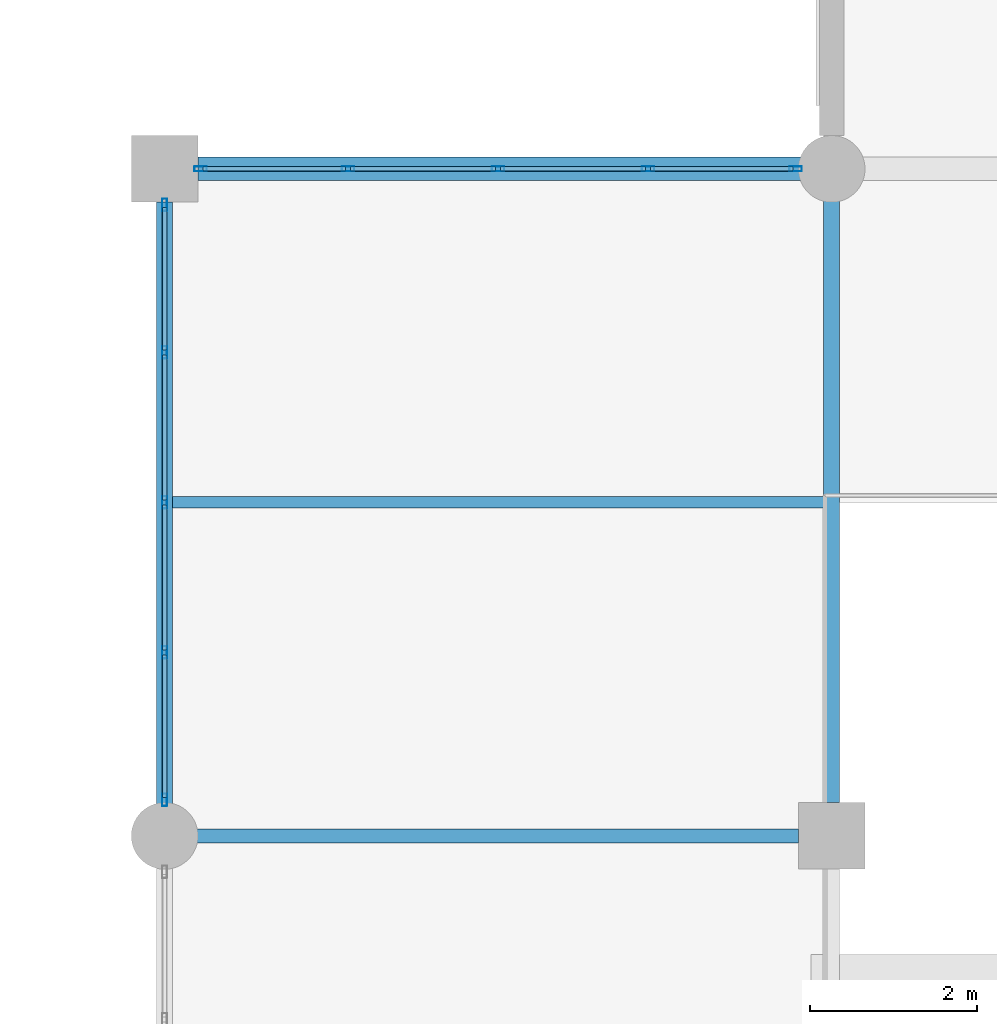
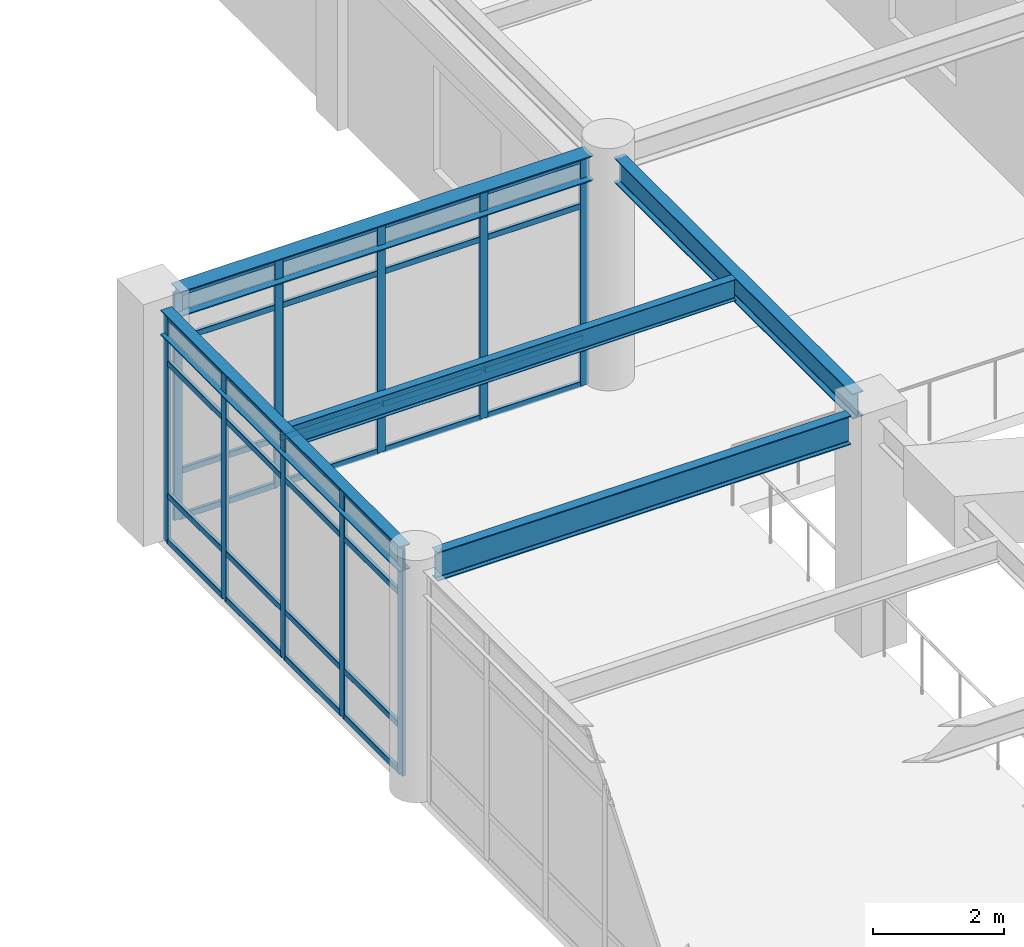
# One storey, part 36 of 75: 42 members, 5 beams, 2 elements without a shape of their own.
"""IFC4 building model written with IfcOpenShell, lengths in metres."""

from ifc_helpers import new_model, si_unit, direction, frame, origin, origin_2d, place, context, subcontext, project, spatial, hollow_rectangle, i_section, extrude, material, material_profile, profile_set, type_object, element, aggregate, save


model = new_model("IFC4")

# Units and contexts
model_context = context("Model", 3, precision=1e-05, world=origin(), true_north=direction((0.0, 1.0)))
body_context = subcontext(model_context, "Body", "Model", "MODEL_VIEW")
ifc_project = project(units=[si_unit("LENGTHUNIT", "METRE"), si_unit("AREAUNIT", "SQUARE_METRE"), si_unit("VOLUMEUNIT", "CUBIC_METRE"), si_unit("PLANEANGLEUNIT", "RADIAN"), si_unit("MASSUNIT", "GRAM", prefix="KILO")], contexts=[model_context])

# Site, building, storey
site_placement = place(None, origin())
site = spatial("IfcSite", under=ifc_project, at=site_placement, CompositionType="ELEMENT")
building_placement = place(site_placement, origin())
building = spatial("IfcBuilding", under=site, at=building_placement, Name="Solmirada Galleria", CompositionType="ELEMENT")
storey_placement = place(building_placement, frame((0.0, 0.0, 19.39990234375)))
storey = spatial("IfcBuildingStorey", under=building, at=storey_placement, Name="L04", CompositionType="ELEMENT", Elevation=19.39990234375)

# Beams
ifc_material_1 = material(Name="Steel S355 / ASTM A992 Grade 50", Category="steel")
ifc_material_profile_1 = material_profile(ifc_material_1, i_section(OverallWidth=0.281982421875, OverallDepth=0.467041015625, WebThickness=0.01220703125, FlangeThickness=0.01953125, FilletRadius=0.013916015625, at=origin_2d()), Name="W18X86")
ifc_profile_set_1 = profile_set([ifc_material_profile_1], Name="Steel S355 / ASTM A992 Grade 50")
beam_type_1 = type_object("IfcBeamType", Name="BM-GIRD-W18A", PredefinedType="BEAM", material=ifc_profile_set_1)
beam_1_placement = place(storey_placement, frame((80.39990234375, 72.0, 4.066650390625), z_axis=(1.0, 0.0, 0.0), x_axis=(0.0, 1.0, 0.0)))
element("IfcBeam", 1, at=beam_1_placement, inside=storey, type_object=beam_type_1, Name="Primary beam L05 X(80..88, 72)", PredefinedType="BEAM", context=body_context, shape_type="SweptSolid", body=[
    extrude(i_section(OverallWidth=0.281982421875, OverallDepth=0.467041015625, WebThickness=0.01220703125, FlangeThickness=0.01953125, FilletRadius=0.013916015625, at=origin_2d()), origin(), (0.0, 0.0, 1.0), 7.26416015625),
])
ifc_material_profile_2 = material_profile(ifc_material_1, i_section(OverallWidth=0.193115234375, OverallDepth=0.466064453125, WebThickness=0.011474609375, FlangeThickness=0.01904296875, FilletRadius=0.013916015625, at=origin_2d()), Name="W18X65")
ifc_profile_set_2 = profile_set([ifc_material_profile_2], Name="Steel S355 / ASTM A992 Grade 50")
beam_type_2 = type_object("IfcBeamType", Name="BM-GIRD-W18C", PredefinedType="BEAM", material=ifc_profile_set_2)
for number, where, z_axis, x_axis, name in (
    (2, (80.0, 64.3359375, 4.067138671875), (0.0, 1.0, 0.0), (-1.0, 0.0, 0.0), "Primary girder L05 Y(80, 64..72)"),
    (3, (88.0, 64.39990234375, 4.067138671875), (0.0, 1.0, 0.0), (-1.0, 0.0, 0.0), "Primary girder L05 Y(88, 64..72)"),
):
    element("IfcBeam", number, at=place(storey_placement, frame(where, z_axis=z_axis, x_axis=x_axis)), inside=storey, type_object=beam_type_2, Name=name, PredefinedType="BEAM", context=body_context, shape_type="SweptSolid", body=[
        extrude(i_section(OverallWidth=0.193115234375, OverallDepth=0.466064453125, WebThickness=0.011474609375, FlangeThickness=0.01904296875, FilletRadius=0.013916015625, at=origin_2d()), origin(), (0.0, 0.0, 1.0), 7.26416015625),
    ])
ifc_material_profile_3 = material_profile(ifc_material_1, i_section(OverallWidth=0.1669921875, OverallDepth=0.534912109375, WebThickness=0.01025390625, FlangeThickness=0.0166015625, FilletRadius=0.013916015625, at=origin_2d()), Name="W21X57")
ifc_profile_set_3 = profile_set([ifc_material_profile_3], Name="Steel S355 / ASTM A992 Grade 50")
beam_type_3 = type_object("IfcBeamType", Name="BM-GIRD-W21C", PredefinedType="BEAM", material=ifc_profile_set_3)
beam_2_placement = place(storey_placement, frame((80.3359375, 64.0, 4.03271484375), z_axis=(1.0, 0.0, 0.0), x_axis=(0.0, 1.0, 0.0)))
element("IfcBeam", 4, at=beam_2_placement, inside=storey, type_object=beam_type_3, Name="Primary beam L05 X(80..88, 64)", PredefinedType="BEAM", context=body_context, shape_type="SweptSolid", body=[
    extrude(i_section(OverallWidth=0.1669921875, OverallDepth=0.534912109375, WebThickness=0.01025390625, FlangeThickness=0.0166015625, FilletRadius=0.013916015625, at=origin_2d()), origin(), (0.0, 0.0, 1.0), 7.26416015625),
])
ifc_material_profile_4 = material_profile(ifc_material_1, i_section(OverallWidth=0.139892578125, OverallDepth=0.39892578125, WebThickness=0.00634765625, FlangeThickness=0.0087890625, FilletRadius=0.010986328125, at=origin_2d()), Name="W16X26")
ifc_profile_set_4 = profile_set([ifc_material_profile_4], Name="Steel S355 / ASTM A992 Grade 50")
beam_type_4 = type_object("IfcBeamType", Name="BM-JST-W16C", PredefinedType="JOIST", material=ifc_profile_set_4)
beam_3_placement = place(storey_placement, frame((80.096435546875, 68.0, 4.1005859375), z_axis=(1.0, 0.0, 0.0), x_axis=(0.0, 1.0, 0.0)))
element("IfcBeam", 5, at=beam_3_placement, inside=storey, type_object=beam_type_4, Name="Composite floor joist L05 (80..88, 68.0)", PredefinedType="JOIST", context=body_context, shape_type="SweptSolid", body=[
    extrude(i_section(OverallWidth=0.139892578125, OverallDepth=0.39892578125, WebThickness=0.00634765625, FlangeThickness=0.0087890625, FilletRadius=0.010986328125, at=origin_2d()), origin(), (0.0, 0.0, 1.0), 7.80712890625),
])

# Curtain wall, members
ifc_material_2 = material(Name="Impact-resistant low-E double glazing", Category="glass")
curtain_wall_type = type_object("IfcCurtainWallType", Name="CW-FZ3-L04-B4-L072", PredefinedType="NOTDEFINED", material=ifc_material_2)
curtain_wall_1_placement = place(storey_placement, origin())
curtain_wall_1 = element("IfcCurtainWall", 6, at=curtain_wall_1_placement, inside=storey, type_object=curtain_wall_type, Name="Terrace and arcade storefront CW-L04-144", PredefinedType="NOTDEFINED")
ifc_material_3 = material(Name="Anodised aluminium framing", Category="aluminium")
ifc_material_profile_5 = material_profile(ifc_material_3, hollow_rectangle(XDim=0.06005859375, YDim=0.14990234375, WallThickness=0.00341796875, InnerFilletRadius=0.00341796875, OuterFilletRadius=0.007080078125, at=origin_2d()), Name="ALU-MULL-150X60")
ifc_profile_set_5 = profile_set([ifc_material_profile_5], Name="Anodised aluminium framing")
member_type_1 = type_object("IfcMemberType", Name="CW-MULL-150", PredefinedType="MULLION", material=ifc_profile_set_5)
member_1_placement = place(storey_placement, frame((80.0, 64.431884765625, 0.0), z_axis=(0.0, 0.0, 1.0), x_axis=(-1.0, 0.0, 0.0)))
member_1 = element("IfcMember", 7, at=member_1_placement, type_object=member_type_1, Name="CW30 mullion 1", PredefinedType="MULLION", context=body_context, shape_type="SweptSolid", body=[
    extrude(hollow_rectangle(XDim=0.06005859375, YDim=0.14990234375, WallThickness=0.00341796875, InnerFilletRadius=0.00341796875, OuterFilletRadius=0.007080078125, at=origin_2d()), origin(), (0.0, 0.0, 1.0), 4.22021484375),
])
member_2_placement = place(storey_placement, frame((80.0, 66.200927734375, 0.0), z_axis=(0.0, 0.0, 1.0), x_axis=(-1.0, 0.0, 0.0)))
member_2 = element("IfcMember", 8, at=member_2_placement, type_object=member_type_1, Name="CW30 mullion 2", PredefinedType="MULLION", context=body_context, shape_type="SweptSolid", body=[
    extrude(hollow_rectangle(XDim=0.06005859375, YDim=0.14990234375, WallThickness=0.00341796875, InnerFilletRadius=0.00341796875, OuterFilletRadius=0.007080078125, at=origin_2d()), origin(), (0.0, 0.0, 1.0), 4.22021484375),
])
member_3_placement = place(storey_placement, frame((80.0, 68.0, 0.0), z_axis=(0.0, 0.0, 1.0), x_axis=(-1.0, 0.0, 0.0)))
member_3 = element("IfcMember", 9, at=member_3_placement, type_object=member_type_1, Name="CW30 mullion 3", PredefinedType="MULLION", context=body_context, shape_type="SweptSolid", body=[
    extrude(hollow_rectangle(XDim=0.06005859375, YDim=0.14990234375, WallThickness=0.00341796875, InnerFilletRadius=0.00341796875, OuterFilletRadius=0.007080078125, at=origin_2d()), origin(), (0.0, 0.0, 1.0), 4.22021484375),
])
member_4_placement = place(storey_placement, frame((80.0, 69.799072265625, 0.0), z_axis=(0.0, 0.0, 1.0), x_axis=(-1.0, 0.0, 0.0)))
member_4 = element("IfcMember", 10, at=member_4_placement, type_object=member_type_1, Name="CW30 mullion 4", PredefinedType="MULLION", context=body_context, shape_type="SweptSolid", body=[
    extrude(hollow_rectangle(XDim=0.06005859375, YDim=0.14990234375, WallThickness=0.00341796875, InnerFilletRadius=0.00341796875, OuterFilletRadius=0.007080078125, at=origin_2d()), origin(), (0.0, 0.0, 1.0), 4.22021484375),
])
member_5_placement = place(storey_placement, frame((80.0, 71.568115234375, 0.0), z_axis=(0.0, 0.0, 1.0), x_axis=(-1.0, 0.0, 0.0)))
member_5 = element("IfcMember", 11, at=member_5_placement, type_object=member_type_1, Name="CW30 mullion 5", PredefinedType="MULLION", context=body_context, shape_type="SweptSolid", body=[
    extrude(hollow_rectangle(XDim=0.06005859375, YDim=0.14990234375, WallThickness=0.00341796875, InnerFilletRadius=0.00341796875, OuterFilletRadius=0.007080078125, at=origin_2d()), origin(), (0.0, 0.0, 1.0), 4.22021484375),
])

curtain_wall_2_placement = place(storey_placement, origin())
curtain_wall_2 = element("IfcCurtainWall", 12, at=curtain_wall_2_placement, inside=storey, type_object=curtain_wall_type, Name="Terrace and arcade storefront CW-L04-145", PredefinedType="NOTDEFINED")
member_6_placement = place(storey_placement, frame((80.431884765625, 72.0, 0.0), z_axis=(0.0, 0.0, 1.0), x_axis=(0.0, 1.0, 0.0)))
member_6 = element("IfcMember", 13, at=member_6_placement, type_object=member_type_1, Name="CW30 mullion 1", PredefinedType="MULLION", context=body_context, shape_type="SweptSolid", body=[
    extrude(hollow_rectangle(XDim=0.06005859375, YDim=0.14990234375, WallThickness=0.00341796875, InnerFilletRadius=0.00341796875, OuterFilletRadius=0.007080078125, at=origin_2d()), origin(), (0.0, 0.0, 1.0), 4.22021484375),
])
member_7_placement = place(storey_placement, frame((82.200927734375, 72.0, 0.0), z_axis=(0.0, 0.0, 1.0), x_axis=(0.0, 1.0, 0.0)))
member_7 = element("IfcMember", 14, at=member_7_placement, type_object=member_type_1, Name="CW30 mullion 2", PredefinedType="MULLION", context=body_context, shape_type="SweptSolid", body=[
    extrude(hollow_rectangle(XDim=0.06005859375, YDim=0.14990234375, WallThickness=0.00341796875, InnerFilletRadius=0.00341796875, OuterFilletRadius=0.007080078125, at=origin_2d()), origin(), (0.0, 0.0, 1.0), 4.22021484375),
])
member_8_placement = place(storey_placement, frame((84.0, 72.0, 0.0), z_axis=(0.0, 0.0, 1.0), x_axis=(0.0, 1.0, 0.0)))
member_8 = element("IfcMember", 15, at=member_8_placement, type_object=member_type_1, Name="CW30 mullion 3", PredefinedType="MULLION", context=body_context, shape_type="SweptSolid", body=[
    extrude(hollow_rectangle(XDim=0.06005859375, YDim=0.14990234375, WallThickness=0.00341796875, InnerFilletRadius=0.00341796875, OuterFilletRadius=0.007080078125, at=origin_2d()), origin(), (0.0, 0.0, 1.0), 4.22021484375),
])
member_9_placement = place(storey_placement, frame((85.799072265625, 72.0, 0.0), z_axis=(0.0, 0.0, 1.0), x_axis=(0.0, 1.0, 0.0)))
member_9 = element("IfcMember", 16, at=member_9_placement, type_object=member_type_1, Name="CW30 mullion 4", PredefinedType="MULLION", context=body_context, shape_type="SweptSolid", body=[
    extrude(hollow_rectangle(XDim=0.06005859375, YDim=0.14990234375, WallThickness=0.00341796875, InnerFilletRadius=0.00341796875, OuterFilletRadius=0.007080078125, at=origin_2d()), origin(), (0.0, 0.0, 1.0), 4.22021484375),
])
member_10_placement = place(storey_placement, frame((87.568115234375, 72.0, 0.0), z_axis=(0.0, 0.0, 1.0), x_axis=(0.0, 1.0, 0.0)))
member_10 = element("IfcMember", 17, at=member_10_placement, type_object=member_type_1, Name="CW30 mullion 5", PredefinedType="MULLION", context=body_context, shape_type="SweptSolid", body=[
    extrude(hollow_rectangle(XDim=0.06005859375, YDim=0.14990234375, WallThickness=0.00341796875, InnerFilletRadius=0.00341796875, OuterFilletRadius=0.007080078125, at=origin_2d()), origin(), (0.0, 0.0, 1.0), 4.22021484375),
])

# Member
ifc_material_profile_6 = material_profile(ifc_material_3, hollow_rectangle(XDim=0.06005859375, YDim=0.110107421875, WallThickness=0.003173828125, InnerFilletRadius=0.003173828125, OuterFilletRadius=0.00634765625, at=origin_2d()), Name="ALU-TRAN-110X60")
ifc_profile_set_6 = profile_set([ifc_material_profile_6], Name="Anodised aluminium framing")
member_type_2 = type_object("IfcMemberType", Name="CW-TRAN-110", PredefinedType="USERDEFINED", material=ifc_profile_set_6)
member_11_placement = place(storey_placement, frame((80.0, 64.4619140625, 0.030029296875), z_axis=(0.0, 1.0, 0.0), x_axis=(-1.0, 0.0, 0.0)))
member_11 = element("IfcMember", 18, at=member_11_placement, type_object=member_type_2, Name="CW30 transom 1.1", ObjectType="TRANSOM", PredefinedType="USERDEFINED", context=body_context, shape_type="SweptSolid", body=[
    extrude(hollow_rectangle(XDim=0.06005859375, YDim=0.110107421875, WallThickness=0.003173828125, InnerFilletRadius=0.003173828125, OuterFilletRadius=0.00634765625, at=origin_2d()), origin(), (0.0, 0.0, 1.0), 1.708984375),
])

member_12_placement = place(storey_placement, frame((80.0, 64.4619140625, 0.880126953125), z_axis=(0.0, 1.0, 0.0), x_axis=(-1.0, 0.0, 0.0)))
member_12 = element("IfcMember", 19, at=member_12_placement, type_object=member_type_2, Name="CW30 transom 1.2", ObjectType="TRANSOM", PredefinedType="USERDEFINED", context=body_context, shape_type="SweptSolid", body=[
    extrude(hollow_rectangle(XDim=0.06005859375, YDim=0.110107421875, WallThickness=0.003173828125, InnerFilletRadius=0.003173828125, OuterFilletRadius=0.00634765625, at=origin_2d()), origin(), (0.0, 0.0, 1.0), 1.708984375),
])

member_13_placement = place(storey_placement, frame((80.0, 64.4619140625, 3.340087890625), z_axis=(0.0, 1.0, 0.0), x_axis=(-1.0, 0.0, 0.0)))
member_13 = element("IfcMember", 20, at=member_13_placement, type_object=member_type_2, Name="CW30 transom 1.3", ObjectType="TRANSOM", PredefinedType="USERDEFINED", context=body_context, shape_type="SweptSolid", body=[
    extrude(hollow_rectangle(XDim=0.06005859375, YDim=0.110107421875, WallThickness=0.003173828125, InnerFilletRadius=0.003173828125, OuterFilletRadius=0.00634765625, at=origin_2d()), origin(), (0.0, 0.0, 1.0), 1.708984375),
])

member_14_placement = place(storey_placement, frame((80.0, 64.4619140625, 4.190185546875), z_axis=(0.0, 1.0, 0.0), x_axis=(-1.0, 0.0, 0.0)))
member_14 = element("IfcMember", 21, at=member_14_placement, type_object=member_type_2, Name="CW30 transom 1.4", ObjectType="TRANSOM", PredefinedType="USERDEFINED", context=body_context, shape_type="SweptSolid", body=[
    extrude(hollow_rectangle(XDim=0.06005859375, YDim=0.110107421875, WallThickness=0.003173828125, InnerFilletRadius=0.003173828125, OuterFilletRadius=0.00634765625, at=origin_2d()), origin(), (0.0, 0.0, 1.0), 1.708984375),
])

member_15_placement = place(storey_placement, frame((80.0, 66.23095703125, 0.030029296875), z_axis=(0.0, 1.0, 0.0), x_axis=(-1.0, 0.0, 0.0)))
member_15 = element("IfcMember", 22, at=member_15_placement, type_object=member_type_2, Name="CW30 transom 2.1", ObjectType="TRANSOM", PredefinedType="USERDEFINED", context=body_context, shape_type="SweptSolid", body=[
    extrude(hollow_rectangle(XDim=0.06005859375, YDim=0.110107421875, WallThickness=0.003173828125, InnerFilletRadius=0.003173828125, OuterFilletRadius=0.00634765625, at=origin_2d()), origin(), (0.0, 0.0, 1.0), 1.739013671875),
])

member_16_placement = place(storey_placement, frame((80.0, 66.23095703125, 0.880126953125), z_axis=(0.0, 1.0, 0.0), x_axis=(-1.0, 0.0, 0.0)))
member_16 = element("IfcMember", 23, at=member_16_placement, type_object=member_type_2, Name="CW30 transom 2.2", ObjectType="TRANSOM", PredefinedType="USERDEFINED", context=body_context, shape_type="SweptSolid", body=[
    extrude(hollow_rectangle(XDim=0.06005859375, YDim=0.110107421875, WallThickness=0.003173828125, InnerFilletRadius=0.003173828125, OuterFilletRadius=0.00634765625, at=origin_2d()), origin(), (0.0, 0.0, 1.0), 1.739013671875),
])

member_17_placement = place(storey_placement, frame((80.0, 66.23095703125, 3.340087890625), z_axis=(0.0, 1.0, 0.0), x_axis=(-1.0, 0.0, 0.0)))
member_17 = element("IfcMember", 24, at=member_17_placement, type_object=member_type_2, Name="CW30 transom 2.3", ObjectType="TRANSOM", PredefinedType="USERDEFINED", context=body_context, shape_type="SweptSolid", body=[
    extrude(hollow_rectangle(XDim=0.06005859375, YDim=0.110107421875, WallThickness=0.003173828125, InnerFilletRadius=0.003173828125, OuterFilletRadius=0.00634765625, at=origin_2d()), origin(), (0.0, 0.0, 1.0), 1.739013671875),
])

member_18_placement = place(storey_placement, frame((80.0, 66.23095703125, 4.190185546875), z_axis=(0.0, 1.0, 0.0), x_axis=(-1.0, 0.0, 0.0)))
member_18 = element("IfcMember", 25, at=member_18_placement, type_object=member_type_2, Name="CW30 transom 2.4", ObjectType="TRANSOM", PredefinedType="USERDEFINED", context=body_context, shape_type="SweptSolid", body=[
    extrude(hollow_rectangle(XDim=0.06005859375, YDim=0.110107421875, WallThickness=0.003173828125, InnerFilletRadius=0.003173828125, OuterFilletRadius=0.00634765625, at=origin_2d()), origin(), (0.0, 0.0, 1.0), 1.739013671875),
])

member_19_placement = place(storey_placement, frame((80.0, 68.030029296875, 0.030029296875), z_axis=(0.0, 1.0, 0.0), x_axis=(-1.0, 0.0, 0.0)))
member_19 = element("IfcMember", 26, at=member_19_placement, type_object=member_type_2, Name="CW30 transom 3.1", ObjectType="TRANSOM", PredefinedType="USERDEFINED", context=body_context, shape_type="SweptSolid", body=[
    extrude(hollow_rectangle(XDim=0.06005859375, YDim=0.110107421875, WallThickness=0.003173828125, InnerFilletRadius=0.003173828125, OuterFilletRadius=0.00634765625, at=origin_2d()), origin(), (0.0, 0.0, 1.0), 1.739013671875),
])

member_20_placement = place(storey_placement, frame((80.0, 68.030029296875, 0.880126953125), z_axis=(0.0, 1.0, 0.0), x_axis=(-1.0, 0.0, 0.0)))
member_20 = element("IfcMember", 27, at=member_20_placement, type_object=member_type_2, Name="CW30 transom 3.2", ObjectType="TRANSOM", PredefinedType="USERDEFINED", context=body_context, shape_type="SweptSolid", body=[
    extrude(hollow_rectangle(XDim=0.06005859375, YDim=0.110107421875, WallThickness=0.003173828125, InnerFilletRadius=0.003173828125, OuterFilletRadius=0.00634765625, at=origin_2d()), origin(), (0.0, 0.0, 1.0), 1.739013671875),
])

member_21_placement = place(storey_placement, frame((80.0, 68.030029296875, 3.340087890625), z_axis=(0.0, 1.0, 0.0), x_axis=(-1.0, 0.0, 0.0)))
member_21 = element("IfcMember", 28, at=member_21_placement, type_object=member_type_2, Name="CW30 transom 3.3", ObjectType="TRANSOM", PredefinedType="USERDEFINED", context=body_context, shape_type="SweptSolid", body=[
    extrude(hollow_rectangle(XDim=0.06005859375, YDim=0.110107421875, WallThickness=0.003173828125, InnerFilletRadius=0.003173828125, OuterFilletRadius=0.00634765625, at=origin_2d()), origin(), (0.0, 0.0, 1.0), 1.739013671875),
])

member_22_placement = place(storey_placement, frame((80.0, 68.030029296875, 4.190185546875), z_axis=(0.0, 1.0, 0.0), x_axis=(-1.0, 0.0, 0.0)))
member_22 = element("IfcMember", 29, at=member_22_placement, type_object=member_type_2, Name="CW30 transom 3.4", ObjectType="TRANSOM", PredefinedType="USERDEFINED", context=body_context, shape_type="SweptSolid", body=[
    extrude(hollow_rectangle(XDim=0.06005859375, YDim=0.110107421875, WallThickness=0.003173828125, InnerFilletRadius=0.003173828125, OuterFilletRadius=0.00634765625, at=origin_2d()), origin(), (0.0, 0.0, 1.0), 1.739013671875),
])

member_23_placement = place(storey_placement, frame((80.0, 69.8291015625, 0.030029296875), z_axis=(0.0, 1.0, 0.0), x_axis=(-1.0, 0.0, 0.0)))
member_23 = element("IfcMember", 30, at=member_23_placement, type_object=member_type_2, Name="CW30 transom 4.1", ObjectType="TRANSOM", PredefinedType="USERDEFINED", context=body_context, shape_type="SweptSolid", body=[
    extrude(hollow_rectangle(XDim=0.06005859375, YDim=0.110107421875, WallThickness=0.003173828125, InnerFilletRadius=0.003173828125, OuterFilletRadius=0.00634765625, at=origin_2d()), origin(), (0.0, 0.0, 1.0), 1.708984375),
])

member_24_placement = place(storey_placement, frame((80.0, 69.8291015625, 0.880126953125), z_axis=(0.0, 1.0, 0.0), x_axis=(-1.0, 0.0, 0.0)))
member_24 = element("IfcMember", 31, at=member_24_placement, type_object=member_type_2, Name="CW30 transom 4.2", ObjectType="TRANSOM", PredefinedType="USERDEFINED", context=body_context, shape_type="SweptSolid", body=[
    extrude(hollow_rectangle(XDim=0.06005859375, YDim=0.110107421875, WallThickness=0.003173828125, InnerFilletRadius=0.003173828125, OuterFilletRadius=0.00634765625, at=origin_2d()), origin(), (0.0, 0.0, 1.0), 1.708984375),
])

member_25_placement = place(storey_placement, frame((80.0, 69.8291015625, 3.340087890625), z_axis=(0.0, 1.0, 0.0), x_axis=(-1.0, 0.0, 0.0)))
member_25 = element("IfcMember", 32, at=member_25_placement, type_object=member_type_2, Name="CW30 transom 4.3", ObjectType="TRANSOM", PredefinedType="USERDEFINED", context=body_context, shape_type="SweptSolid", body=[
    extrude(hollow_rectangle(XDim=0.06005859375, YDim=0.110107421875, WallThickness=0.003173828125, InnerFilletRadius=0.003173828125, OuterFilletRadius=0.00634765625, at=origin_2d()), origin(), (0.0, 0.0, 1.0), 1.708984375),
])

member_26_placement = place(storey_placement, frame((80.0, 69.8291015625, 4.190185546875), z_axis=(0.0, 1.0, 0.0), x_axis=(-1.0, 0.0, 0.0)))
member_26 = element("IfcMember", 33, at=member_26_placement, type_object=member_type_2, Name="CW30 transom 4.4", ObjectType="TRANSOM", PredefinedType="USERDEFINED", context=body_context, shape_type="SweptSolid", body=[
    extrude(hollow_rectangle(XDim=0.06005859375, YDim=0.110107421875, WallThickness=0.003173828125, InnerFilletRadius=0.003173828125, OuterFilletRadius=0.00634765625, at=origin_2d()), origin(), (0.0, 0.0, 1.0), 1.708984375),
])

aggregate(curtain_wall_1, [member_1, member_2, member_3, member_4, member_5, member_11, member_12, member_13, member_14, member_15, member_16, member_17, member_18, member_19, member_20, member_21, member_22, member_23, member_24, member_25, member_26])

member_27_placement = place(storey_placement, frame((80.4619140625, 72.0, 0.030029296875), z_axis=(1.0, 0.0, 0.0), x_axis=(0.0, 1.0, 0.0)))
member_27 = element("IfcMember", 34, at=member_27_placement, type_object=member_type_2, Name="CW30 transom 1.1", ObjectType="TRANSOM", PredefinedType="USERDEFINED", context=body_context, shape_type="SweptSolid", body=[
    extrude(hollow_rectangle(XDim=0.06005859375, YDim=0.110107421875, WallThickness=0.003173828125, InnerFilletRadius=0.003173828125, OuterFilletRadius=0.00634765625, at=origin_2d()), origin(), (0.0, 0.0, 1.0), 1.708984375),
])

member_28_placement = place(storey_placement, frame((80.4619140625, 72.0, 0.880126953125), z_axis=(1.0, 0.0, 0.0), x_axis=(0.0, 1.0, 0.0)))
member_28 = element("IfcMember", 35, at=member_28_placement, type_object=member_type_2, Name="CW30 transom 1.2", ObjectType="TRANSOM", PredefinedType="USERDEFINED", context=body_context, shape_type="SweptSolid", body=[
    extrude(hollow_rectangle(XDim=0.06005859375, YDim=0.110107421875, WallThickness=0.003173828125, InnerFilletRadius=0.003173828125, OuterFilletRadius=0.00634765625, at=origin_2d()), origin(), (0.0, 0.0, 1.0), 1.708984375),
])

member_29_placement = place(storey_placement, frame((80.4619140625, 72.0, 3.340087890625), z_axis=(1.0, 0.0, 0.0), x_axis=(0.0, 1.0, 0.0)))
member_29 = element("IfcMember", 36, at=member_29_placement, type_object=member_type_2, Name="CW30 transom 1.3", ObjectType="TRANSOM", PredefinedType="USERDEFINED", context=body_context, shape_type="SweptSolid", body=[
    extrude(hollow_rectangle(XDim=0.06005859375, YDim=0.110107421875, WallThickness=0.003173828125, InnerFilletRadius=0.003173828125, OuterFilletRadius=0.00634765625, at=origin_2d()), origin(), (0.0, 0.0, 1.0), 1.708984375),
])

member_30_placement = place(storey_placement, frame((80.4619140625, 72.0, 4.190185546875), z_axis=(1.0, 0.0, 0.0), x_axis=(0.0, 1.0, 0.0)))
member_30 = element("IfcMember", 37, at=member_30_placement, type_object=member_type_2, Name="CW30 transom 1.4", ObjectType="TRANSOM", PredefinedType="USERDEFINED", context=body_context, shape_type="SweptSolid", body=[
    extrude(hollow_rectangle(XDim=0.06005859375, YDim=0.110107421875, WallThickness=0.003173828125, InnerFilletRadius=0.003173828125, OuterFilletRadius=0.00634765625, at=origin_2d()), origin(), (0.0, 0.0, 1.0), 1.708984375),
])

member_31_placement = place(storey_placement, frame((82.23095703125, 72.0, 0.030029296875), z_axis=(1.0, 0.0, 0.0), x_axis=(0.0, 1.0, 0.0)))
member_31 = element("IfcMember", 38, at=member_31_placement, type_object=member_type_2, Name="CW30 transom 2.1", ObjectType="TRANSOM", PredefinedType="USERDEFINED", context=body_context, shape_type="SweptSolid", body=[
    extrude(hollow_rectangle(XDim=0.06005859375, YDim=0.110107421875, WallThickness=0.003173828125, InnerFilletRadius=0.003173828125, OuterFilletRadius=0.00634765625, at=origin_2d()), origin(), (0.0, 0.0, 1.0), 1.739013671875),
])

member_32_placement = place(storey_placement, frame((82.23095703125, 72.0, 0.880126953125), z_axis=(1.0, 0.0, 0.0), x_axis=(0.0, 1.0, 0.0)))
member_32 = element("IfcMember", 39, at=member_32_placement, type_object=member_type_2, Name="CW30 transom 2.2", ObjectType="TRANSOM", PredefinedType="USERDEFINED", context=body_context, shape_type="SweptSolid", body=[
    extrude(hollow_rectangle(XDim=0.06005859375, YDim=0.110107421875, WallThickness=0.003173828125, InnerFilletRadius=0.003173828125, OuterFilletRadius=0.00634765625, at=origin_2d()), origin(), (0.0, 0.0, 1.0), 1.739013671875),
])

member_33_placement = place(storey_placement, frame((82.23095703125, 72.0, 3.340087890625), z_axis=(1.0, 0.0, 0.0), x_axis=(0.0, 1.0, 0.0)))
member_33 = element("IfcMember", 40, at=member_33_placement, type_object=member_type_2, Name="CW30 transom 2.3", ObjectType="TRANSOM", PredefinedType="USERDEFINED", context=body_context, shape_type="SweptSolid", body=[
    extrude(hollow_rectangle(XDim=0.06005859375, YDim=0.110107421875, WallThickness=0.003173828125, InnerFilletRadius=0.003173828125, OuterFilletRadius=0.00634765625, at=origin_2d()), origin(), (0.0, 0.0, 1.0), 1.739013671875),
])

member_34_placement = place(storey_placement, frame((82.23095703125, 72.0, 4.190185546875), z_axis=(1.0, 0.0, 0.0), x_axis=(0.0, 1.0, 0.0)))
member_34 = element("IfcMember", 41, at=member_34_placement, type_object=member_type_2, Name="CW30 transom 2.4", ObjectType="TRANSOM", PredefinedType="USERDEFINED", context=body_context, shape_type="SweptSolid", body=[
    extrude(hollow_rectangle(XDim=0.06005859375, YDim=0.110107421875, WallThickness=0.003173828125, InnerFilletRadius=0.003173828125, OuterFilletRadius=0.00634765625, at=origin_2d()), origin(), (0.0, 0.0, 1.0), 1.739013671875),
])

member_35_placement = place(storey_placement, frame((84.030029296875, 72.0, 0.030029296875), z_axis=(1.0, 0.0, 0.0), x_axis=(0.0, 1.0, 0.0)))
member_35 = element("IfcMember", 42, at=member_35_placement, type_object=member_type_2, Name="CW30 transom 3.1", ObjectType="TRANSOM", PredefinedType="USERDEFINED", context=body_context, shape_type="SweptSolid", body=[
    extrude(hollow_rectangle(XDim=0.06005859375, YDim=0.110107421875, WallThickness=0.003173828125, InnerFilletRadius=0.003173828125, OuterFilletRadius=0.00634765625, at=origin_2d()), origin(), (0.0, 0.0, 1.0), 1.739013671875),
])

member_36_placement = place(storey_placement, frame((84.030029296875, 72.0, 0.880126953125), z_axis=(1.0, 0.0, 0.0), x_axis=(0.0, 1.0, 0.0)))
member_36 = element("IfcMember", 43, at=member_36_placement, type_object=member_type_2, Name="CW30 transom 3.2", ObjectType="TRANSOM", PredefinedType="USERDEFINED", context=body_context, shape_type="SweptSolid", body=[
    extrude(hollow_rectangle(XDim=0.06005859375, YDim=0.110107421875, WallThickness=0.003173828125, InnerFilletRadius=0.003173828125, OuterFilletRadius=0.00634765625, at=origin_2d()), origin(), (0.0, 0.0, 1.0), 1.739013671875),
])

member_37_placement = place(storey_placement, frame((84.030029296875, 72.0, 3.340087890625), z_axis=(1.0, 0.0, 0.0), x_axis=(0.0, 1.0, 0.0)))
member_37 = element("IfcMember", 44, at=member_37_placement, type_object=member_type_2, Name="CW30 transom 3.3", ObjectType="TRANSOM", PredefinedType="USERDEFINED", context=body_context, shape_type="SweptSolid", body=[
    extrude(hollow_rectangle(XDim=0.06005859375, YDim=0.110107421875, WallThickness=0.003173828125, InnerFilletRadius=0.003173828125, OuterFilletRadius=0.00634765625, at=origin_2d()), origin(), (0.0, 0.0, 1.0), 1.739013671875),
])

member_38_placement = place(storey_placement, frame((84.030029296875, 72.0, 4.190185546875), z_axis=(1.0, 0.0, 0.0), x_axis=(0.0, 1.0, 0.0)))
member_38 = element("IfcMember", 45, at=member_38_placement, type_object=member_type_2, Name="CW30 transom 3.4", ObjectType="TRANSOM", PredefinedType="USERDEFINED", context=body_context, shape_type="SweptSolid", body=[
    extrude(hollow_rectangle(XDim=0.06005859375, YDim=0.110107421875, WallThickness=0.003173828125, InnerFilletRadius=0.003173828125, OuterFilletRadius=0.00634765625, at=origin_2d()), origin(), (0.0, 0.0, 1.0), 1.739013671875),
])

member_39_placement = place(storey_placement, frame((85.8291015625, 72.0, 0.030029296875), z_axis=(1.0, 0.0, 0.0), x_axis=(0.0, 1.0, 0.0)))
member_39 = element("IfcMember", 46, at=member_39_placement, type_object=member_type_2, Name="CW30 transom 4.1", ObjectType="TRANSOM", PredefinedType="USERDEFINED", context=body_context, shape_type="SweptSolid", body=[
    extrude(hollow_rectangle(XDim=0.06005859375, YDim=0.110107421875, WallThickness=0.003173828125, InnerFilletRadius=0.003173828125, OuterFilletRadius=0.00634765625, at=origin_2d()), origin(), (0.0, 0.0, 1.0), 1.708984375),
])

member_40_placement = place(storey_placement, frame((85.8291015625, 72.0, 0.880126953125), z_axis=(1.0, 0.0, 0.0), x_axis=(0.0, 1.0, 0.0)))
member_40 = element("IfcMember", 47, at=member_40_placement, type_object=member_type_2, Name="CW30 transom 4.2", ObjectType="TRANSOM", PredefinedType="USERDEFINED", context=body_context, shape_type="SweptSolid", body=[
    extrude(hollow_rectangle(XDim=0.06005859375, YDim=0.110107421875, WallThickness=0.003173828125, InnerFilletRadius=0.003173828125, OuterFilletRadius=0.00634765625, at=origin_2d()), origin(), (0.0, 0.0, 1.0), 1.708984375),
])

member_41_placement = place(storey_placement, frame((85.8291015625, 72.0, 3.340087890625), z_axis=(1.0, 0.0, 0.0), x_axis=(0.0, 1.0, 0.0)))
member_41 = element("IfcMember", 48, at=member_41_placement, type_object=member_type_2, Name="CW30 transom 4.3", ObjectType="TRANSOM", PredefinedType="USERDEFINED", context=body_context, shape_type="SweptSolid", body=[
    extrude(hollow_rectangle(XDim=0.06005859375, YDim=0.110107421875, WallThickness=0.003173828125, InnerFilletRadius=0.003173828125, OuterFilletRadius=0.00634765625, at=origin_2d()), origin(), (0.0, 0.0, 1.0), 1.708984375),
])

member_42_placement = place(storey_placement, frame((85.8291015625, 72.0, 4.190185546875), z_axis=(1.0, 0.0, 0.0), x_axis=(0.0, 1.0, 0.0)))
member_42 = element("IfcMember", 49, at=member_42_placement, type_object=member_type_2, Name="CW30 transom 4.4", ObjectType="TRANSOM", PredefinedType="USERDEFINED", context=body_context, shape_type="SweptSolid", body=[
    extrude(hollow_rectangle(XDim=0.06005859375, YDim=0.110107421875, WallThickness=0.003173828125, InnerFilletRadius=0.003173828125, OuterFilletRadius=0.00634765625, at=origin_2d()), origin(), (0.0, 0.0, 1.0), 1.708984375),
])

aggregate(curtain_wall_2, [member_6, member_7, member_8, member_9, member_10, member_27, member_28, member_29, member_30, member_31, member_32, member_33, member_34, member_35, member_36, member_37, member_38, member_39, member_40, member_41, member_42])

save(model, "model.ifc")
